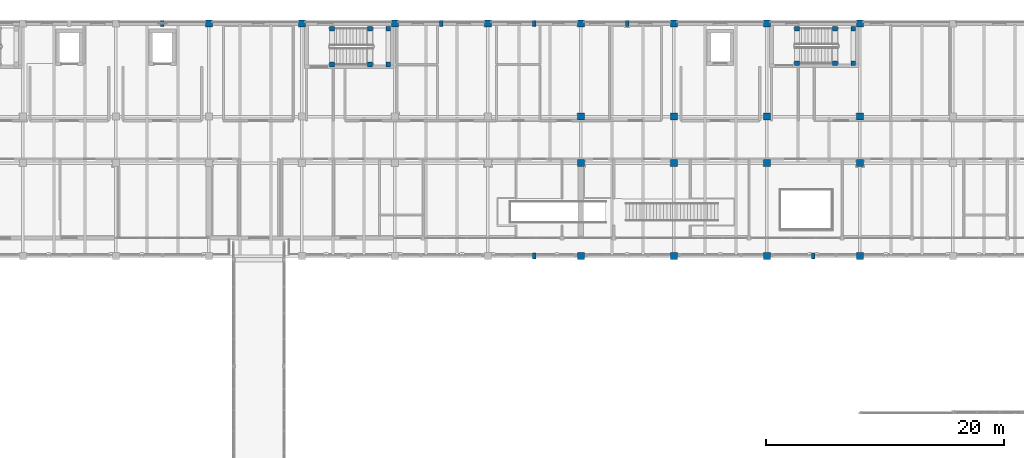
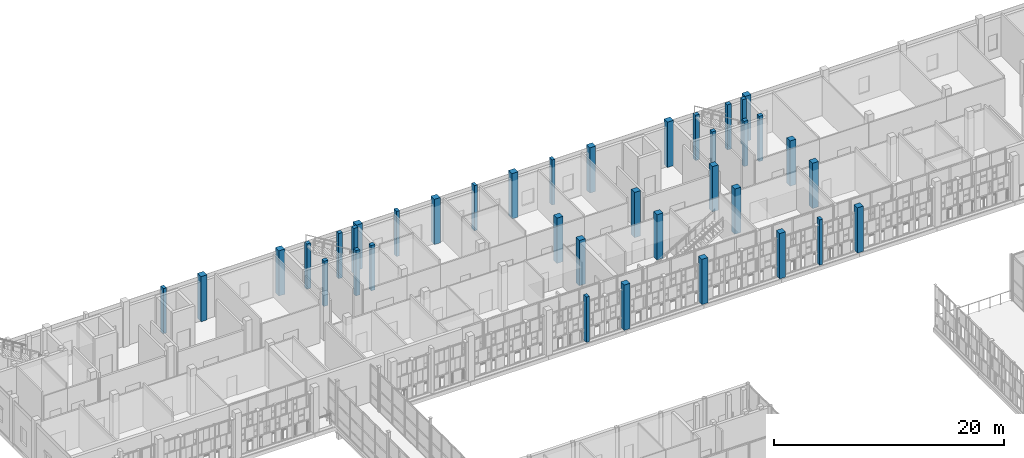
# One storey, part 14 of 138: 38 columns.
"""IFC4 building model written with IfcOpenShell, lengths in metres."""

from ifc_helpers import new_model, si_unit, direction, frame, origin, origin_2d, place, context, subcontext, project, spatial, rectangle, extrude, material, material_profile, profile_set, type_object, element, save


model = new_model("IFC4")

# Units and contexts
model_context = context("Model", 3, precision=1e-05, world=origin(), true_north=direction((0.0, 1.0)))
body_context = subcontext(model_context, "Body", "Model", "MODEL_VIEW")
ifc_project = project(units=[si_unit("LENGTHUNIT", "METRE"), si_unit("AREAUNIT", "SQUARE_METRE"), si_unit("VOLUMEUNIT", "CUBIC_METRE"), si_unit("PLANEANGLEUNIT", "RADIAN"), si_unit("MASSUNIT", "GRAM", prefix="KILO")], contexts=[model_context])

# Site, building, storey
site_placement = place(None, origin())
site = spatial("IfcSite", under=ifc_project, at=site_placement, CompositionType="ELEMENT")
building_placement = place(site_placement, origin())
building = spatial("IfcBuilding", under=site, at=building_placement, Name="Celorna Specialist Clinic", CompositionType="ELEMENT")
storey_placement = place(building_placement, frame((0.0, 0.0, 4.800048828125)))
storey = spatial("IfcBuildingStorey", under=building, at=storey_placement, Name="L01", CompositionType="ELEMENT", Elevation=4.800048828125)

# Columns
ifc_material_1 = material(Name="Concrete C40/50", Category="concrete")
ifc_material_profile_1 = material_profile(ifc_material_1, rectangle(XDim=0.60009765625, YDim=0.60009765625, at=origin_2d()), Name="RC 600x600")
ifc_profile_set_1 = profile_set([ifc_material_profile_1], Name="Concrete C40/50")
column_type_1 = type_object("IfcColumnType", Name="CT-04", PredefinedType="COLUMN", material=ifc_profile_set_1)
for number, where, z_axis, x_axis, name in (
    (1, (70.199951171875, 116.0, 0.0), (0.0, 0.0, 1.0), (1.0, 0.0, 0.0), "Column CT-04 L01 X10/YU"),
    (2, (78.0, 116.0, 0.0), (0.0, 0.0, 1.0), (1.0, 0.0, 0.0), "Column CT-04 L01 X11/YU"),
    (3, (85.800048828125, 116.0, 0.0), (0.0, 0.0, 1.0), (1.0, 0.0, 0.0), "Column CT-04 L01 X12/YU"),
    (4, (93.60009765625, 116.0, 0.0), (0.0, 0.0, 1.0), (1.0, 0.0, 0.0), "Column CT-04 L01 X13/YU"),
    (5, (101.39990234375, 96.5, 0.0), (0.0, 0.0, 1.0), (1.0, 0.0, 0.0), "Column CT-04 L01 X14/YR"),
    (6, (101.39990234375, 104.300048828125, 0.0), (0.0, 0.0, 1.0), (1.0, 0.0, 0.0), "Column CT-04 L01 X14/YS"),
    (7, (101.39990234375, 108.199951171875, 0.0), (0.0, 0.0, 1.0), (1.0, 0.0, 0.0), "Column CT-04 L01 X14/YT"),
    (8, (101.39990234375, 116.0, 0.0), (0.0, 0.0, 1.0), (1.0, 0.0, 0.0), "Column CT-04 L01 X14/YU"),
    (9, (109.199951171875, 96.5, 0.0), (0.0, 0.0, 1.0), (1.0, 0.0, 0.0), "Column CT-04 L01 X15/YR"),
    (10, (109.199951171875, 104.300048828125, 0.0), (0.0, 0.0, 1.0), (1.0, 0.0, 0.0), "Column CT-04 L01 X15/YS"),
    (11, (109.199951171875, 108.199951171875, 0.0), (0.0, 0.0, 1.0), (1.0, 0.0, 0.0), "Column CT-04 L01 X15/YT"),
    (12, (109.199951171875, 116.0, 0.0), (0.0, 0.0, 1.0), (1.0, 0.0, 0.0), "Column CT-04 L01 X15/YU"),
    (13, (117.0, 96.5, 0.0), (0.0, 0.0, 1.0), (1.0, 0.0, 0.0), "Column CT-04 L01 X16/YR"),
    (14, (117.0, 104.300048828125, 0.0), (0.0, 0.0, 1.0), (1.0, 0.0, 0.0), "Column CT-04 L01 X16/YS"),
    (15, (117.0, 108.199951171875, 0.0), (0.0, 0.0, 1.0), (1.0, 0.0, 0.0), "Column CT-04 L01 X16/YT"),
    (16, (117.0, 116.0, 0.0), (0.0, 0.0, 1.0), (1.0, 0.0, 0.0), "Column CT-04 L01 X16/YU"),
    (17, (124.800048828125, 96.5, 0.0), (0.0, 0.0, 1.0), (1.0, 0.0, 0.0), "Column CT-04 L01 X17/YR"),
    (18, (124.800048828125, 104.300048828125, 0.0), (0.0, 0.0, 1.0), (1.0, 0.0, 0.0), "Column CT-04 L01 X17/YS"),
    (19, (124.800048828125, 108.199951171875, 0.0), (0.0, 0.0, 1.0), (1.0, 0.0, 0.0), "Column CT-04 L01 X17/YT"),
    (20, (124.800048828125, 116.0, 0.0), (0.0, 0.0, 1.0), (1.0, 0.0, 0.0), "Column CT-04 L01 X17/YU"),
):
    element("IfcColumn", number, at=place(storey_placement, frame(where, z_axis=z_axis, x_axis=x_axis)), inside=storey, type_object=column_type_1, Name=name, PredefinedType="COLUMN", context=body_context, shape_type="SweptSolid", body=[
        extrude(rectangle(XDim=0.60009765625, YDim=0.60009765625, at=origin_2d()), origin(), (0.0, 0.0, 1.0), 4.800048828125),
    ])
ifc_material_2 = material(Name="Concrete C35/45", Category="concrete")
ifc_material_profile_2 = material_profile(ifc_material_2, rectangle(XDim=0.39990234375, YDim=0.39990234375, at=origin_2d()), Name="RC 400x400")
ifc_profile_set_2 = profile_set([ifc_material_profile_2], Name="Concrete C35/45")
column_type_2 = type_object("IfcColumnType", Name="CT-08", PredefinedType="COLUMN", material=ifc_profile_set_2)
for number, where, z_axis, x_axis, name in (
    (21, (80.52001953125, 112.570068359375, 0.0), (0.0, 0.0, 1.0), (1.0, 0.0, 0.0), "Stair ST-02 landing column CT-08 L01 X11/YU"),
    (22, (80.52001953125, 115.570068359375, 0.0), (0.0, 0.0, 1.0), (1.0, 0.0, 0.0), "Stair ST-02 landing column CT-08 L01 X11/YU"),
    (23, (83.719970703125, 112.570068359375, 0.0), (0.0, 0.0, 1.0), (1.0, 0.0, 0.0), "Stair ST-02 landing column CT-08 L01 X12/YU"),
    (24, (83.719970703125, 115.570068359375, 0.0), (0.0, 0.0, 1.0), (1.0, 0.0, 0.0), "Stair ST-02 landing column CT-08 L01 X12/YU"),
    (25, (85.239990234375, 112.570068359375, 0.0), (0.0, 0.0, 1.0), (1.0, 0.0, 0.0), "Stair ST-02 landing column CT-08 L01 X12/YU"),
    (26, (85.239990234375, 115.570068359375, 0.0), (0.0, 0.0, 1.0), (1.0, 0.0, 0.0), "Stair ST-02 landing column CT-08 L01 X12/YU"),
    (27, (119.52001953125, 112.669921875, 0.0), (0.0, 0.0, 1.0), (1.0, 0.0, 0.0), "Stair ST-03 landing column CT-08 L01 X16/YU"),
    (28, (119.52001953125, 115.570068359375, 0.0), (0.0, 0.0, 1.0), (1.0, 0.0, 0.0), "Stair ST-03 landing column CT-08 L01 X16/YU"),
    (29, (122.719970703125, 112.669921875, 0.0), (0.0, 0.0, 1.0), (1.0, 0.0, 0.0), "Stair ST-03 landing column CT-08 L01 X17/YU"),
    (30, (122.719970703125, 115.570068359375, 0.0), (0.0, 0.0, 1.0), (1.0, 0.0, 0.0), "Stair ST-03 landing column CT-08 L01 X17/YU"),
    (31, (124.239990234375, 112.669921875, 0.0), (0.0, 0.0, 1.0), (1.0, 0.0, 0.0), "Stair ST-03 landing column CT-08 L01 X17/YU"),
    (32, (124.239990234375, 115.570068359375, 0.0), (0.0, 0.0, 1.0), (1.0, 0.0, 0.0), "Stair ST-03 landing column CT-08 L01 X17/YU"),
):
    element("IfcColumn", number, at=place(storey_placement, frame(where, z_axis=z_axis, x_axis=x_axis)), inside=storey, type_object=column_type_2, Name=name, PredefinedType="COLUMN", context=body_context, shape_type="SweptSolid", body=[
        extrude(rectangle(XDim=0.39990234375, YDim=0.39990234375, at=origin_2d()), origin(), (0.0, 0.0, 1.0), 4.800048828125),
    ])
ifc_material_3 = material(Name="Precast concrete C40/50", Category="concrete")
ifc_material_profile_3 = material_profile(ifc_material_3, rectangle(XDim=0.300048828125, YDim=0.47998046875, at=origin_2d()), Name="PILASTER 300x480")
ifc_profile_set_3 = profile_set([ifc_material_profile_3], Name="Precast concrete C40/50")
column_type_3 = type_object("IfcColumnType", Name="CT-17", PredefinedType="PILASTER", material=ifc_profile_set_3)
for number, where, z_axis, x_axis, name in (
    (33, (66.300048828125, 116.0, 0.0), (0.0, 0.0, 1.0), (1.0, 0.0, 0.0), "Facade pilaster CT-17 L01 X09/YU"),
    (34, (89.699951171875, 116.0, 0.0), (0.0, 0.0, 1.0), (1.0, 0.0, 0.0), "Facade pilaster CT-17 L01 X13/YU"),
    (35, (97.5, 116.0, 0.0), (0.0, 0.0, 1.0), (1.0, 0.0, 0.0), "Facade pilaster CT-17 L01 X13/YU"),
    (36, (105.300048828125, 116.0, 0.0), (0.0, 0.0, 1.0), (1.0, 0.0, 0.0), "Facade pilaster CT-17 L01 X14A/YU"),
    (37, (97.5, 96.5, 0.0), (0.0, 0.0, 1.0), (1.0, 0.0, 0.0), "Court veranda pilaster CT-17 L01 X13/YR"),
    (38, (120.89990234375, 96.5, 0.0), (0.0, 0.0, 1.0), (1.0, 0.0, 0.0), "Court veranda pilaster CT-17 L01 X17/YR"),
):
    element("IfcColumn", number, at=place(storey_placement, frame(where, z_axis=z_axis, x_axis=x_axis)), inside=storey, type_object=column_type_3, Name=name, PredefinedType="PILASTER", context=body_context, shape_type="SweptSolid", body=[
        extrude(rectangle(XDim=0.300048828125, YDim=0.47998046875, at=origin_2d()), origin(), (0.0, 0.0, 1.0), 4.800048828125),
    ])

save(model, "model.ifc")
